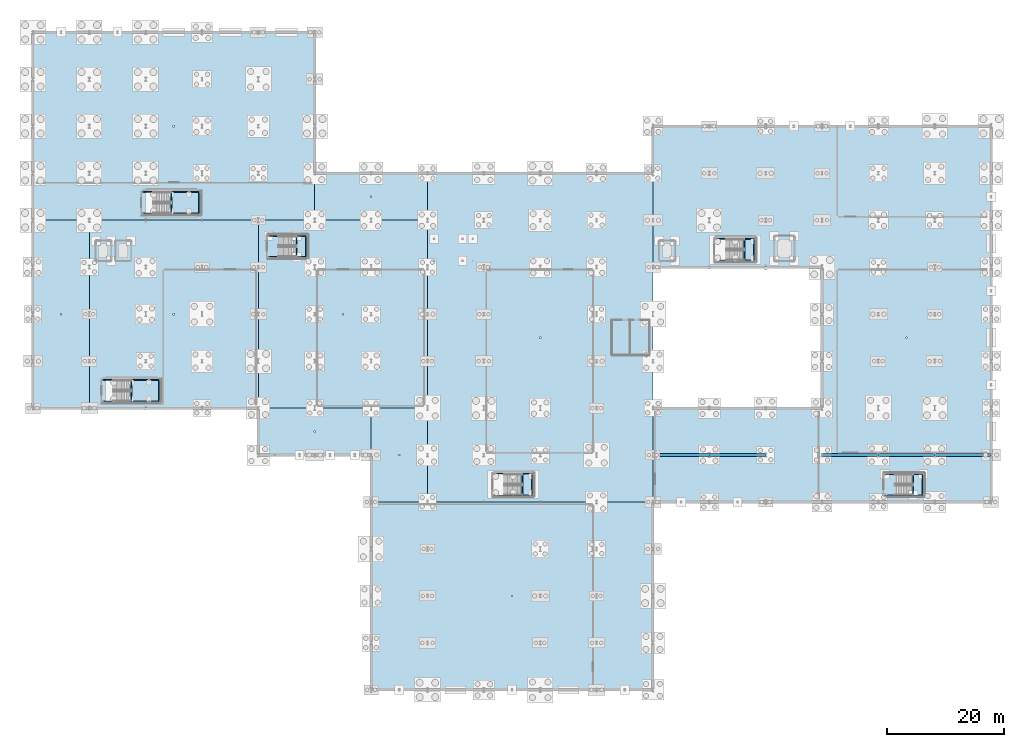
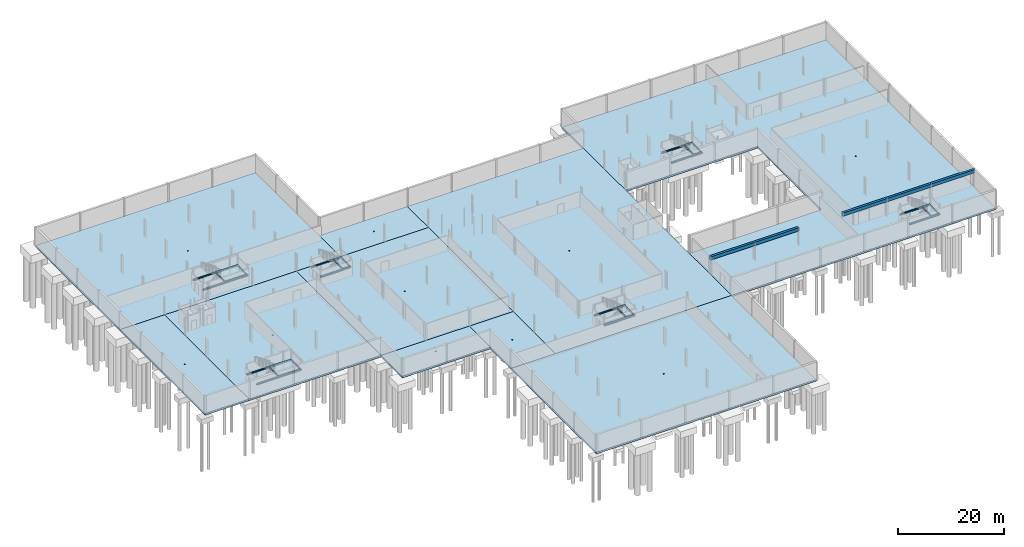
# One storey, part 33 of 47: 29 beams, 16 slabs, 6 elements without a shape of their own.
"""IFC4 building model written with IfcOpenShell, lengths in metres."""

import ifcopenshell
import ifcopenshell.guid

model = None  # the IFC model being written
_history = None  # IfcOwnerHistory: only IFC2X3 demands one
_inside = {}  # id of a spatial element -> (the spatial element, [elements in it])
_under = {}  # id of a project, library or spatial element -> (it, [spatial elements below it])
_declared = {}  # id of a project -> (the project, [libraries it declares])
_typed = {}  # id of a type object -> (the type object, [elements of that type])
_made_of = {}  # id of a material, layer set ... -> (it, [elements and type objects made of it])


def new_model(schema):
    """Start an empty IFC model of exactly this schema.

    Asked for "IFC4X3", IfcOpenShell would pick the latest addendum, in which some entities
    have other attributes; the version numbers below select the first issue.
    IFC2X3 requires an IfcOwnerHistory on every rooted entity: one is made here for all.
    """
    global model, _history
    if schema == "IFC4X3":
        model = ifcopenshell.file(schema_version=(4, 3, 0, 0))
    else:
        model = ifcopenshell.file(schema=schema)
    _inside.clear()
    _under.clear()
    _declared.clear()
    _typed.clear()
    _made_of.clear()
    _history = None
    if model.schema == "IFC2X3":
        org = make("IfcOrganization", Name="unknown")
        user = make(
            "IfcPersonAndOrganization",
            ThePerson=make("IfcPerson", FamilyName="unknown"),
            TheOrganization=org,
        )
        app = make(
            "IfcApplication",
            ApplicationDeveloper=org,
            Version="unknown",
            ApplicationFullName="unknown",
            ApplicationIdentifier="unknown",
        )
        _history = make(
            "IfcOwnerHistory",
            OwningUser=user,
            OwningApplication=app,
            ChangeAction="ADDED",
            CreationDate=0,
        )
    return model


def make(cls, **values):
    """One entity of the class cls with the attributes given. An attribute that is None is left unset."""
    return model.create_entity(
        cls, **{name: value for name, value in values.items() if value is not None}
    )


def rooted(cls, **values):
    """An entity with a GlobalId (a new one), such as an element, a storey or a relation."""
    return make(cls, GlobalId=ifcopenshell.guid.new(), OwnerHistory=_history, **values)


def si_unit(unit_type, name, prefix=None):
    """IfcSIUnit, for example si_unit("LENGTHUNIT", "METRE", prefix="MILLI")."""
    return make("IfcSIUnit", UnitType=unit_type, Prefix=prefix, Name=name)


def assignment(units):
    """IfcUnitAssignment: the units of a project."""
    return None if units is None else make("IfcUnitAssignment", Units=units)


def point(xyz):
    """IfcCartesianPoint."""
    return None if xyz is None else make("IfcCartesianPoint", Coordinates=xyz)


def direction(xyz):
    """IfcDirection."""
    return None if xyz is None else make("IfcDirection", DirectionRatios=xyz)


def frame(location, z_axis=None, x_axis=None):
    """IfcAxis2Placement3D, a coordinate frame: its origin and axes. An axis left out is left unset."""
    return make(
        "IfcAxis2Placement3D",
        Location=point(location),
        Axis=direction(z_axis),
        RefDirection=direction(x_axis),
    )


def frame_2d(location, x_axis=None):
    """IfcAxis2Placement2D, a coordinate frame in the plane: its origin and x axis."""
    return make(
        "IfcAxis2Placement2D", Location=point(location), RefDirection=direction(x_axis)
    )


def origin():
    """The frame at (0, 0, 0) with its axes left unset."""
    return frame((0.0, 0.0, 0.0))


def origin_2d():
    """The frame at (0, 0) in the plane with its x axis left unset."""
    return frame_2d((0.0, 0.0))


def place(relative_to, where):
    """IfcLocalPlacement: puts the frame where relative to a parent placement (None: the world)."""
    return make(
        "IfcLocalPlacement", PlacementRelTo=relative_to, RelativePlacement=where
    )


def context(
    kind, dimensions, precision=None, world=None, true_north=None, identifier=None
):
    """IfcGeometricRepresentationContext, for example the 3D "Model" context."""
    return make(
        "IfcGeometricRepresentationContext",
        ContextIdentifier=identifier,
        ContextType=kind,
        CoordinateSpaceDimension=dimensions,
        Precision=precision,
        WorldCoordinateSystem=world,
        TrueNorth=true_north,
    )


def subcontext(parent, identifier, kind, view, scale=None):
    """IfcGeometricRepresentationSubContext, for example "Body" below "Model"."""
    return make(
        "IfcGeometricRepresentationSubContext",
        ContextIdentifier=identifier,
        ContextType=kind,
        ParentContext=parent,
        TargetScale=scale,
        TargetView=view,
    )


def project(units=None, contexts=None):
    """IfcProject with its units and contexts."""
    return rooted(
        "IfcProject",
        Name="project",
        RepresentationContexts=contexts,
        UnitsInContext=assignment(units),
    )


def spatial(cls, under=None, at=None, **own):
    """A site, building, storey or space (cls), placed at a placement, below another one or the project."""
    s = rooted(cls, ObjectPlacement=at, **own)
    if under is not None:
        _under.setdefault(under.id(), (under, []))[1].append(s)
    return s


def polyline(points):
    """IfcPolyline through the points."""
    return make("IfcPolyline", Points=[point(p) for p in points])


def profile(cls, at=None, kind="AREA", **sizes):
    """A parametric profile (cls). Its sizes go by their IFC names, for example OverallWidth=200.0."""
    return make(cls, ProfileType=kind, Position=at, **sizes)


def rectangle(**sizes):
    """IfcRectangleProfileDef."""
    return profile("IfcRectangleProfileDef", **sizes)


def i_section(**sizes):
    """IfcIShapeProfileDef."""
    return profile("IfcIShapeProfileDef", **sizes)


def outline(outer, holes=None, kind="AREA"):
    """IfcArbitraryClosedProfileDef: a profile drawn as a closed curve; with holes, ...WithVoids."""
    if holes is None:
        return make("IfcArbitraryClosedProfileDef", ProfileType=kind, OuterCurve=outer)
    return make(
        "IfcArbitraryProfileDefWithVoids",
        ProfileType=kind,
        OuterCurve=outer,
        InnerCurves=holes,
    )


def extrude(swept, where, along, depth):
    """IfcExtrudedAreaSolid: the profile swept, set in the frame where, extruded along a direction by depth."""
    return make(
        "IfcExtrudedAreaSolid",
        SweptArea=swept,
        Position=where,
        ExtrudedDirection=direction(along),
        Depth=depth,
    )


def shape(context_of_items, identifier, shape_type, items):
    """IfcShapeRepresentation: the items that make up one representation, for example the "Body"."""
    return make(
        "IfcShapeRepresentation",
        ContextOfItems=context_of_items,
        RepresentationIdentifier=identifier,
        RepresentationType=shape_type,
        Items=items,
    )


def material(Name=None, Category=None):
    """IfcMaterial."""
    return make("IfcMaterial", Name=Name, Category=Category)


def layer(
    of_material, thickness, ventilated=None, Name=None, Category=None, Priority=None
):
    """IfcMaterialLayer: one layer of a wall or slab, of a material (None: an air gap)."""
    return make(
        "IfcMaterialLayer",
        Material=of_material,
        LayerThickness=thickness,
        IsVentilated=ventilated,
        Name=Name,
        Category=Category,
        Priority=Priority,
    )


def layer_set(layers, Name=None):
    """IfcMaterialLayerSet."""
    return make("IfcMaterialLayerSet", MaterialLayers=layers, LayerSetName=Name)


def material_profile(
    of_material, cross_section, Name=None, Category=None, Priority=None
):
    """IfcMaterialProfile: a cross section and its material."""
    return make(
        "IfcMaterialProfile",
        Name=Name,
        Material=of_material,
        Profile=cross_section,
        Priority=Priority,
        Category=Category,
    )


def profile_set(profiles, Name=None, composite=None):
    """IfcMaterialProfileSet."""
    return make(
        "IfcMaterialProfileSet",
        Name=Name,
        MaterialProfiles=profiles,
        CompositeProfile=composite,
    )


def made_of(thing, what):
    """Note that an element or type object is made of a material, layer set ...; save() writes the relation."""
    if what is not None:
        _made_of.setdefault(what.id(), (what, []))[1].append(thing)
    return thing


def type_object(cls, material=None, **own):
    """A type object (cls), such as IfcWallType, which elements share."""
    return made_of(rooted(cls, **own), material)


def element(
    cls,
    number,
    at=None,
    inside=None,
    cuts=None,
    type_object=None,
    material=None,
    context=None,
    identifier="Body",
    shape_type=None,
    held_by="IfcProductDefinitionShape",
    body=None,
    shapes=None,
    **own,
):
    """One element of the class cls, such as IfcWall. Its Tag is "e" and its number.

    at: its placement. inside: the storey or other place that contains it. cuts: it is an
    opening in that element (IfcRelVoidsElement). A single representation is given by context,
    identifier, shape_type and body (its items); several are given by shapes. held_by: the class
    of the entity that holds the representations. save() writes the other relations.
    """
    e = rooted(cls, Tag="e%d" % number, ObjectPlacement=at, **own)
    if body is not None:
        shapes = [shape(context, identifier, shape_type, body)]
    if shapes is not None:
        e.Representation = make(held_by, Representations=shapes)
    if inside is not None:
        _inside.setdefault(inside.id(), (inside, []))[1].append(e)
    if cuts is not None:
        rooted(
            "IfcRelVoidsElement", RelatingBuildingElement=cuts, RelatedOpeningElement=e
        )
    if type_object is not None:
        _typed.setdefault(type_object.id(), (type_object, []))[1].append(e)
    return made_of(e, material)


def aggregate(whole, parts):
    """IfcRelAggregates: a whole, such as a stair, and the parts it consists of."""
    return rooted("IfcRelAggregates", RelatingObject=whole, RelatedObjects=parts)


def save(model, path):
    """Write the relations noted so far, then the file.

    IfcRelAggregates (storeys below a building ...), IfcRelContainedInSpatialStructure (elements
    in a storey), IfcRelDefinesByType, IfcRelAssociatesMaterial and IfcRelDeclares: one each for
    every whole, place, type object, material and project.
    """
    for whole, parts in _under.values():
        aggregate(whole, parts)
    for where, things in _inside.values():
        rooted(
            "IfcRelContainedInSpatialStructure",
            RelatedElements=things,
            RelatingStructure=where,
        )
    for kind, things in _typed.values():
        rooted("IfcRelDefinesByType", RelatedObjects=things, RelatingType=kind)
    for what, things in _made_of.values():
        rooted("IfcRelAssociatesMaterial", RelatedObjects=things, RelatingMaterial=what)
    for by, libraries in _declared.values():
        rooted("IfcRelDeclares", RelatingContext=by, RelatedDefinitions=libraries)
    model.write(path)


model = new_model("IFC4")

# Units and contexts
model_context = context("Model", 3, precision=1e-05, world=origin(), true_north=direction((0.0, 1.0)))
body_context = subcontext(model_context, "Body", "Model", "MODEL_VIEW")
ifc_project = project(units=[si_unit("LENGTHUNIT", "METRE"), si_unit("AREAUNIT", "SQUARE_METRE"), si_unit("VOLUMEUNIT", "CUBIC_METRE"), si_unit("PLANEANGLEUNIT", "RADIAN"), si_unit("MASSUNIT", "GRAM", prefix="KILO")], contexts=[model_context])

# Site, building, storey
site_placement = place(None, origin())
site = spatial("IfcSite", under=ifc_project, at=site_placement, CompositionType="ELEMENT")
building_placement = place(site_placement, origin())
building = spatial("IfcBuilding", under=site, at=building_placement, Name="Alderhovde Museum", CompositionType="ELEMENT")
storey_placement = place(building_placement, frame((0.0, 0.0, -4.5)))
storey = spatial("IfcBuildingStorey", under=building, at=storey_placement, Name="B1", CompositionType="ELEMENT", Elevation=-4.5)

# Beams
ifc_material_1 = material(Name="Steel S355J2", Category="steel")
ifc_material_profile_1 = material_profile(ifc_material_1, i_section(OverallWidth=0.1201171875, OverallDepth=0.239990234375, WebThickness=0.006103515625, FlangeThickness=0.009765625, FilletRadius=0.014892578125, at=origin_2d()), Name="IPE 240")
ifc_profile_set_1 = profile_set([ifc_material_profile_1], Name="Steel S355J2")
beam_type_1 = type_object("IfcBeamType", Name="BM-IPE240", PredefinedType="BEAM", material=ifc_profile_set_1)
for number, where, z_axis, x_axis, name in (
    (1, (21.52001953125, 49.1201171875, 1.929931640625), (1.0, 0.0, 0.0), (0.0, 1.0, 0.0), "B1 Stair ST1 Landing 1 Beam S"),
    (2, (21.52001953125, 52.840087890625, 1.929931640625), (1.0, 0.0, 0.0), (0.0, 1.0, 0.0), "B1 Stair ST1 Landing 1 Beam N"),
):
    element("IfcBeam", number, at=place(storey_placement, frame(where, z_axis=z_axis, x_axis=x_axis)), inside=storey, type_object=beam_type_1, Name=name, PredefinedType="BEAM", context=body_context, shape_type="SweptSolid", body=[
        extrude(i_section(OverallWidth=0.1201171875, OverallDepth=0.239990234375, WebThickness=0.006103515625, FlangeThickness=0.009765625, FilletRadius=0.014892578125, at=origin_2d()), origin(), (0.0, 0.0, 1.0), 9.679931640625),
    ])
for number, where, z_axis, x_axis, name in (
    (3, (26.360107421875, 49.1201171875, 1.929931640625), (0.0, 1.0, 0.0), (-1.0, 0.0, 0.0), "B1 Stair ST1 Landing 1 Beam W"),
    (4, (31.1201171875, 49.1201171875, 1.929931640625), (0.0, 1.0, 0.0), (-1.0, 0.0, 0.0), "B1 Stair ST1 Landing 1 Beam E"),
):
    element("IfcBeam", number, at=place(storey_placement, frame(where, z_axis=z_axis, x_axis=x_axis)), inside=storey, type_object=beam_type_1, Name=name, PredefinedType="BEAM", context=body_context, shape_type="SweptSolid", body=[
        extrude(i_section(OverallWidth=0.1201171875, OverallDepth=0.239990234375, WebThickness=0.006103515625, FlangeThickness=0.009765625, FilletRadius=0.014892578125, at=origin_2d()), origin(), (0.0, 0.0, 1.0), 3.719970703125),
    ])
for number, where, z_axis, x_axis, name in (
    (5, (28.320068359375, 81.1201171875, 1.929931640625), (1.0, 0.0, 0.0), (0.0, 1.0, 0.0), "B1 Stair ST2 Landing 1 Beam S"),
    (6, (28.320068359375, 84.840087890625, 1.929931640625), (1.0, 0.0, 0.0), (0.0, 1.0, 0.0), "B1 Stair ST2 Landing 1 Beam N"),
):
    element("IfcBeam", number, at=place(storey_placement, frame(where, z_axis=z_axis, x_axis=x_axis)), inside=storey, type_object=beam_type_1, Name=name, PredefinedType="BEAM", context=body_context, shape_type="SweptSolid", body=[
        extrude(i_section(OverallWidth=0.1201171875, OverallDepth=0.239990234375, WebThickness=0.006103515625, FlangeThickness=0.009765625, FilletRadius=0.014892578125, at=origin_2d()), origin(), (0.0, 0.0, 1.0), 9.679931640625),
    ])
for number, where, z_axis, x_axis, name in (
    (7, (33.159912109375, 81.1201171875, 1.929931640625), (0.0, 1.0, 0.0), (-1.0, 0.0, 0.0), "B1 Stair ST2 Landing 1 Beam W"),
    (8, (37.919921875, 81.1201171875, 1.929931640625), (0.0, 1.0, 0.0), (-1.0, 0.0, 0.0), "B1 Stair ST2 Landing 1 Beam E"),
):
    element("IfcBeam", number, at=place(storey_placement, frame(where, z_axis=z_axis, x_axis=x_axis)), inside=storey, type_object=beam_type_1, Name=name, PredefinedType="BEAM", context=body_context, shape_type="SweptSolid", body=[
        extrude(i_section(OverallWidth=0.1201171875, OverallDepth=0.239990234375, WebThickness=0.006103515625, FlangeThickness=0.009765625, FilletRadius=0.014892578125, at=origin_2d()), origin(), (0.0, 0.0, 1.0), 3.719970703125),
    ])
for number, where, z_axis, x_axis, name in (
    (9, (88.1201171875, 33.1201171875, 1.929931640625), (1.0, 0.0, 0.0), (0.0, 1.0, 0.0), "B1 Stair ST3 Landing 1 Beam S"),
    (10, (88.1201171875, 36.840087890625, 1.929931640625), (1.0, 0.0, 0.0), (0.0, 1.0, 0.0), "B1 Stair ST3 Landing 1 Beam N"),
):
    element("IfcBeam", number, at=place(storey_placement, frame(where, z_axis=z_axis, x_axis=x_axis)), inside=storey, type_object=beam_type_1, Name=name, PredefinedType="BEAM", context=body_context, shape_type="SweptSolid", body=[
        extrude(i_section(OverallWidth=0.1201171875, OverallDepth=0.239990234375, WebThickness=0.006103515625, FlangeThickness=0.009765625, FilletRadius=0.014892578125, at=origin_2d()), origin(), (0.0, 0.0, 1.0), 6.599853515625),
    ])
for number, where, z_axis, x_axis, name in (
    (11, (92.9599609375, 33.1201171875, 1.929931640625), (0.0, 1.0, 0.0), (-1.0, 0.0, 0.0), "B1 Stair ST3 Landing 1 Beam W"),
    (12, (94.639892578125, 33.1201171875, 1.929931640625), (0.0, 1.0, 0.0), (-1.0, 0.0, 0.0), "B1 Stair ST3 Landing 1 Beam E"),
):
    element("IfcBeam", number, at=place(storey_placement, frame(where, z_axis=z_axis, x_axis=x_axis)), inside=storey, type_object=beam_type_1, Name=name, PredefinedType="BEAM", context=body_context, shape_type="SweptSolid", body=[
        extrude(i_section(OverallWidth=0.1201171875, OverallDepth=0.239990234375, WebThickness=0.006103515625, FlangeThickness=0.009765625, FilletRadius=0.014892578125, at=origin_2d()), origin(), (0.0, 0.0, 1.0), 3.719970703125),
    ])
for number, where, z_axis, x_axis, name in (
    (13, (125.919921875, 73.1201171875, 1.929931640625), (1.0, 0.0, 0.0), (0.0, 1.0, 0.0), "B1 Stair ST4 Landing 1 Beam S"),
    (14, (125.919921875, 76.840087890625, 1.929931640625), (1.0, 0.0, 0.0), (0.0, 1.0, 0.0), "B1 Stair ST4 Landing 1 Beam N"),
):
    element("IfcBeam", number, at=place(storey_placement, frame(where, z_axis=z_axis, x_axis=x_axis)), inside=storey, type_object=beam_type_1, Name=name, PredefinedType="BEAM", context=body_context, shape_type="SweptSolid", body=[
        extrude(i_section(OverallWidth=0.1201171875, OverallDepth=0.239990234375, WebThickness=0.006103515625, FlangeThickness=0.009765625, FilletRadius=0.014892578125, at=origin_2d()), origin(), (0.0, 0.0, 1.0), 6.60009765625),
    ])
for number, where, z_axis, x_axis, name in (
    (15, (130.760009765625, 73.1201171875, 1.929931640625), (0.0, 1.0, 0.0), (-1.0, 0.0, 0.0), "B1 Stair ST4 Landing 1 Beam W"),
    (16, (132.43994140625, 73.1201171875, 1.929931640625), (0.0, 1.0, 0.0), (-1.0, 0.0, 0.0), "B1 Stair ST4 Landing 1 Beam E"),
):
    element("IfcBeam", number, at=place(storey_placement, frame(where, z_axis=z_axis, x_axis=x_axis)), inside=storey, type_object=beam_type_1, Name=name, PredefinedType="BEAM", context=body_context, shape_type="SweptSolid", body=[
        extrude(i_section(OverallWidth=0.1201171875, OverallDepth=0.239990234375, WebThickness=0.006103515625, FlangeThickness=0.009765625, FilletRadius=0.014892578125, at=origin_2d()), origin(), (0.0, 0.0, 1.0), 3.719970703125),
    ])
for number, where, z_axis, x_axis, name in (
    (17, (49.719970703125, 73.719970703125, 1.929931640625), (1.0, 0.0, 0.0), (0.0, 1.0, 0.0), "B1 Stair ST6 Landing 1 Beam S"),
    (18, (49.719970703125, 77.360107421875, 1.929931640625), (1.0, 0.0, 0.0), (0.0, 1.0, 0.0), "B1 Stair ST6 Landing 1 Beam N"),
):
    element("IfcBeam", number, at=place(storey_placement, frame(where, z_axis=z_axis, x_axis=x_axis)), inside=storey, type_object=beam_type_1, Name=name, PredefinedType="BEAM", context=body_context, shape_type="SweptSolid", body=[
        extrude(i_section(OverallWidth=0.1201171875, OverallDepth=0.239990234375, WebThickness=0.006103515625, FlangeThickness=0.009765625, FilletRadius=0.014892578125, at=origin_2d()), origin(), (0.0, 0.0, 1.0), 6.52001953125),
    ])
for number, where, z_axis, x_axis, name in (
    (19, (54.52001953125, 73.719970703125, 1.929931640625), (0.0, 1.0, 0.0), (-1.0, 0.0, 0.0), "B1 Stair ST6 Landing 1 Beam W"),
    (20, (56.159912109375, 73.719970703125, 1.929931640625), (0.0, 1.0, 0.0), (-1.0, 0.0, 0.0), "B1 Stair ST6 Landing 1 Beam E"),
):
    element("IfcBeam", number, at=place(storey_placement, frame(where, z_axis=z_axis, x_axis=x_axis)), inside=storey, type_object=beam_type_1, Name=name, PredefinedType="BEAM", context=body_context, shape_type="SweptSolid", body=[
        extrude(i_section(OverallWidth=0.1201171875, OverallDepth=0.239990234375, WebThickness=0.006103515625, FlangeThickness=0.009765625, FilletRadius=0.014892578125, at=origin_2d()), origin(), (0.0, 0.0, 1.0), 3.64013671875),
    ])
for number, where, z_axis, x_axis, name in (
    (21, (154.719970703125, 33.1201171875, 1.929931640625), (1.0, 0.0, 0.0), (0.0, 1.0, 0.0), "B1 Stair ST7 Landing 1 Beam S"),
    (22, (154.719970703125, 36.760009765625, 1.929931640625), (1.0, 0.0, 0.0), (0.0, 1.0, 0.0), "B1 Stair ST7 Landing 1 Beam N"),
):
    element("IfcBeam", number, at=place(storey_placement, frame(where, z_axis=z_axis, x_axis=x_axis)), inside=storey, type_object=beam_type_1, Name=name, PredefinedType="BEAM", context=body_context, shape_type="SweptSolid", body=[
        extrude(i_section(OverallWidth=0.1201171875, OverallDepth=0.239990234375, WebThickness=0.006103515625, FlangeThickness=0.009765625, FilletRadius=0.014892578125, at=origin_2d()), origin(), (0.0, 0.0, 1.0), 6.52001953125),
    ])
for number, where, z_axis, x_axis, name in (
    (23, (159.52001953125, 33.1201171875, 1.929931640625), (0.0, 1.0, 0.0), (-1.0, 0.0, 0.0), "B1 Stair ST7 Landing 1 Beam W"),
    (24, (161.159912109375, 33.1201171875, 1.929931640625), (0.0, 1.0, 0.0), (-1.0, 0.0, 0.0), "B1 Stair ST7 Landing 1 Beam E"),
):
    element("IfcBeam", number, at=place(storey_placement, frame(where, z_axis=z_axis, x_axis=x_axis)), inside=storey, type_object=beam_type_1, Name=name, PredefinedType="BEAM", context=body_context, shape_type="SweptSolid", body=[
        extrude(i_section(OverallWidth=0.1201171875, OverallDepth=0.239990234375, WebThickness=0.006103515625, FlangeThickness=0.009765625, FilletRadius=0.014892578125, at=origin_2d()), origin(), (0.0, 0.0, 1.0), 3.639892578125),
    ])
ifc_material_2 = material(Name="Concrete C40/50", Category="concrete")
ifc_material_profile_2 = material_profile(ifc_material_2, rectangle(XDim=0.5, YDim=0.75, at=origin_2d()), Name="RC 500x750")
ifc_profile_set_2 = profile_set([ifc_material_profile_2], Name="Concrete C40/50")
beam_type_2 = type_object("IfcBeamType", Name="SPD-RC500x750", PredefinedType="SPANDREL", material=ifc_profile_set_2)
beam_1_placement = place(storey_placement, frame((115.199951171875, 40.0, 3.800048828125), z_axis=(1.0, 0.0, 0.0), x_axis=(0.0, 1.0, 0.0)))
element("IfcBeam", 25, at=beam_1_placement, inside=storey, type_object=beam_type_2, Name="B1 Concrete Spandrel Girder 1", PredefinedType="SPANDREL", context=body_context, shape_type="SweptSolid", body=[
    extrude(rectangle(XDim=0.5, YDim=0.75, at=origin_2d()), origin(), (0.0, 0.0, 1.0), 9.60009765625),
])
beam_2_placement = place(storey_placement, frame((124.800048828125, 40.0, 3.800048828125), z_axis=(1.0, 0.0, 0.0), x_axis=(0.0, 1.0, 0.0)))
element("IfcBeam", 26, at=beam_2_placement, inside=storey, type_object=beam_type_2, Name="B1 Concrete Spandrel Girder 2", PredefinedType="SPANDREL", context=body_context, shape_type="SweptSolid", body=[
    extrude(rectangle(XDim=0.5, YDim=0.75, at=origin_2d()), origin(), (0.0, 0.0, 1.0), 9.599853515625),
])
beam_3_placement = place(storey_placement, frame((144.0, 40.0, 3.800048828125), z_axis=(1.0, 0.0, 0.0), x_axis=(0.0, 1.0, 0.0)))
element("IfcBeam", 27, at=beam_3_placement, inside=storey, type_object=beam_type_2, Name="B1 Concrete Spandrel Girder 3", PredefinedType="SPANDREL", context=body_context, shape_type="SweptSolid", body=[
    extrude(rectangle(XDim=0.5, YDim=0.75, at=origin_2d()), origin(), (0.0, 0.0, 1.0), 9.60009765625),
])
beam_4_placement = place(storey_placement, frame((153.60009765625, 40.0, 3.800048828125), z_axis=(1.0, 0.0, 0.0), x_axis=(0.0, 1.0, 0.0)))
element("IfcBeam", 28, at=beam_4_placement, inside=storey, type_object=beam_type_2, Name="B1 Concrete Spandrel Girder 4", PredefinedType="SPANDREL", context=body_context, shape_type="SweptSolid", body=[
    extrude(rectangle(XDim=0.5, YDim=0.75, at=origin_2d()), origin(), (0.0, 0.0, 1.0), 9.599853515625),
])
beam_5_placement = place(storey_placement, frame((163.199951171875, 40.0, 3.800048828125), z_axis=(1.0, 0.0, 0.0), x_axis=(0.0, 1.0, 0.0)))
element("IfcBeam", 29, at=beam_5_placement, inside=storey, type_object=beam_type_2, Name="B1 Concrete Spandrel Girder 5", PredefinedType="SPANDREL", context=body_context, shape_type="SweptSolid", body=[
    extrude(rectangle(XDim=0.5, YDim=0.75, at=origin_2d()), origin(), (0.0, 0.0, 1.0), 9.60009765625),
])

# Slabs
ifc_material_3 = material(Name="Concrete C40/50", Category="concrete")
ifc_layer_1 = layer(ifc_material_3, 0.39990234375)
ifc_layer_set_1 = layer_set([ifc_layer_1], Name="Concrete C40/50")
slab_type_1 = type_object("IfcSlabType", Name="SLB-BASE-400", PredefinedType="BASESLAB", material=ifc_layer_set_1)
slab_1_placement = place(storey_placement, frame((0.0, 0.0, -0.39990234375)))
element("IfcSlab", 30, at=slab_1_placement, inside=storey, type_object=slab_type_1, Name="B1 VOL1 Structural Slab", PredefinedType="BASESLAB", context=body_context, shape_type="SweptSolid", body=[
    extrude(outline(polyline([(9.60009765625, 48.0), (19.199951171875, 48.0), (19.199951171875, 80.0), (9.60009765625, 80.0), (9.60009765625, 48.0)]), holes=[polyline([(14.2900390625, 63.889892578125), (14.510009765625, 63.889892578125), (14.510009765625, 64.110107421875), (14.2900390625, 64.110107421875), (14.2900390625, 63.889892578125)])]), origin(), (0.0, 0.0, 1.0), 0.39990234375),
])
slab_2_placement = place(storey_placement, frame((0.0, 0.0, -0.39990234375)))
element("IfcSlab", 31, at=slab_2_placement, inside=storey, type_object=slab_type_1, Name="B1 VOL1 Structural Slab", PredefinedType="BASESLAB", context=body_context, shape_type="SweptSolid", body=[
    extrude(outline(polyline([(19.199951171875, 48.0), (48.0, 48.0), (48.0, 80.0), (19.199951171875, 80.0), (19.199951171875, 48.0)]), holes=[polyline([(33.489990234375, 63.889892578125), (33.7099609375, 63.889892578125), (33.7099609375, 64.110107421875), (33.489990234375, 64.110107421875), (33.489990234375, 63.889892578125)])]), origin(), (0.0, 0.0, 1.0), 0.39990234375),
])
slab_3_placement = place(storey_placement, frame((0.0, 0.0, -0.39990234375)))
element("IfcSlab", 32, at=slab_3_placement, inside=storey, type_object=slab_type_1, Name="B1 VOL1 Structural Slab", PredefinedType="BASESLAB", context=body_context, shape_type="SweptSolid", body=[
    extrude(outline(polyline([(48.0, 48.0), (76.800048828125, 48.0), (76.800048828125, 80.0), (48.0, 80.0), (48.0, 48.0)]), holes=[polyline([(62.2900390625, 63.889892578125), (62.510009765625, 63.889892578125), (62.510009765625, 64.110107421875), (62.2900390625, 64.110107421875), (62.2900390625, 63.889892578125)])]), origin(), (0.0, 0.0, 1.0), 0.39990234375),
])
slab_4_placement = place(storey_placement, frame((0.0, 0.0, -0.39990234375)))
element("IfcSlab", 33, at=slab_4_placement, inside=storey, type_object=slab_type_1, Name="B1 VOL6 Structural Slab", PredefinedType="BASESLAB", context=body_context, shape_type="SweptSolid", body=[
    extrude(outline(polyline([(48.0, 40.0), (67.199951171875, 40.0), (67.199951171875, 48.0), (48.0, 48.0), (48.0, 40.0)]), holes=[polyline([(57.489990234375, 43.889892578125), (57.7099609375, 43.889892578125), (57.7099609375, 44.110107421875), (57.489990234375, 44.110107421875), (57.489990234375, 43.889892578125)])]), origin(), (0.0, 0.0, 1.0), 0.39990234375),
])
slab_5_placement = place(storey_placement, frame((0.0, 0.0, -0.39990234375)))
element("IfcSlab", 34, at=slab_5_placement, inside=storey, type_object=slab_type_1, Name="B1 VOL3 Structural Slab", PredefinedType="BASESLAB", context=body_context, shape_type="SweptSolid", body=[
    extrude(outline(polyline([(67.199951171875, 32.0), (76.800048828125, 32.0), (76.800048828125, 48.0), (67.199951171875, 48.0), (67.199951171875, 32.0)]), holes=[polyline([(71.889892578125, 39.889892578125), (72.110107421875, 39.889892578125), (72.110107421875, 40.110107421875), (71.889892578125, 40.110107421875), (71.889892578125, 39.889892578125)])]), origin(), (0.0, 0.0, 1.0), 0.39990234375),
])
slab_6_placement = place(storey_placement, frame((0.0, 0.0, -0.39990234375)))
element("IfcSlab", 35, at=slab_6_placement, inside=storey, type_object=slab_type_1, Name="B1 VOL2 Structural Slab", PredefinedType="BASESLAB", context=body_context, shape_type="SweptSolid", body=[
    extrude(outline(polyline([(57.60009765625, 80.0), (76.800048828125, 80.0), (76.800048828125, 88.0), (57.60009765625, 88.0), (57.60009765625, 80.0)]), holes=[polyline([(67.090087890625, 83.889892578125), (67.31005859375, 83.889892578125), (67.31005859375, 84.110107421875), (67.090087890625, 84.110107421875), (67.090087890625, 83.889892578125)])]), origin(), (0.0, 0.0, 1.0), 0.39990234375),
])
slab_7_placement = place(storey_placement, frame((0.0, 0.0, -0.39990234375)))
element("IfcSlab", 36, at=slab_7_placement, inside=storey, type_object=slab_type_1, Name="B1 VOL2 Structural Slab", PredefinedType="BASESLAB", context=body_context, shape_type="SweptSolid", body=[
    extrude(outline(polyline([(76.800048828125, 32.0), (115.199951171875, 32.0), (115.199951171875, 88.0), (76.800048828125, 88.0), (76.800048828125, 32.0)]), holes=[polyline([(95.889892578125, 59.889892578125), (96.110107421875, 59.889892578125), (96.110107421875, 60.110107421875), (95.889892578125, 60.110107421875), (95.889892578125, 59.889892578125)])]), origin(), (0.0, 0.0, 1.0), 0.39990234375),
])
slab_8_placement = place(storey_placement, frame((0.0, 0.0, -0.39990234375)))
element("IfcSlab", 37, at=slab_8_placement, inside=storey, type_object=slab_type_1, Name="B1 VOL3 Structural Slab", PredefinedType="BASESLAB", context=body_context, shape_type="SweptSolid", body=[
    extrude(outline(polyline([(67.199951171875, 0.0), (115.199951171875, 0.0), (115.199951171875, 32.0), (67.199951171875, 32.0), (67.199951171875, 0.0)]), holes=[polyline([(91.090087890625, 15.889892578125), (91.31005859375, 15.889892578125), (91.31005859375, 16.110107421875), (91.090087890625, 16.110107421875), (91.090087890625, 15.889892578125)])]), origin(), (0.0, 0.0, 1.0), 0.39990234375),
])
slab_9_placement = place(storey_placement, frame((0.0, 0.0, -0.39990234375)))
element("IfcSlab", 38, at=slab_9_placement, inside=storey, type_object=slab_type_1, Name="B1 VOL4 Structural Slab", PredefinedType="BASESLAB", context=body_context, shape_type="SweptSolid", body=[
    extrude(outline(polyline([(9.60009765625, 80.0), (57.60009765625, 80.0), (57.60009765625, 112.0), (9.60009765625, 112.0), (9.60009765625, 80.0)]), holes=[polyline([(33.489990234375, 95.889892578125), (33.7099609375, 95.889892578125), (33.7099609375, 96.110107421875), (33.489990234375, 96.110107421875), (33.489990234375, 95.889892578125)])]), origin(), (0.0, 0.0, 1.0), 0.39990234375),
])
slab_10_placement = place(storey_placement, frame((0.0, 0.0, -0.39990234375)))
element("IfcSlab", 39, at=slab_10_placement, inside=storey, type_object=slab_type_1, Name="B1 VOL5 Structural Slab", PredefinedType="BASESLAB", context=body_context, shape_type="SweptSolid", body=[
    extrude(outline(polyline([(115.199951171875, 32.0), (172.800048828125, 32.0), (172.800048828125, 96.0), (115.199951171875, 96.0), (115.199951171875, 72.0), (144.0, 72.0), (144.0, 48.0), (115.199951171875, 48.0), (115.199951171875, 32.0)]), holes=[polyline([(158.2900390625, 59.889892578125), (158.510009765625, 59.889892578125), (158.510009765625, 60.110107421875), (158.2900390625, 60.110107421875), (158.2900390625, 59.889892578125)])]), origin(), (0.0, 0.0, 1.0), 0.39990234375),
])

# Stair, slab
ifc_material_4 = material(Name="Concrete C35/45", Category="concrete")
stair_type = type_object("IfcStairType", Name="STR-1500-4500", PredefinedType="HALF_TURN_STAIR", material=ifc_material_4)
stair_1_placement = place(storey_placement, origin())
stair_1 = element("IfcStair", 40, at=stair_1_placement, inside=storey, type_object=stair_type, Name="B1 Escape Stair ST1", PredefinedType="HALF_TURN_STAIR")
ifc_material_5 = material(Name="Concrete C35/45", Category="concrete")
ifc_layer_2 = layer(ifc_material_5, 0.199951171875)
ifc_layer_set_2 = layer_set([ifc_layer_2], Name="Concrete C35/45")
slab_type_2 = type_object("IfcSlabType", Name="SLB-LANDING-200", PredefinedType="LANDING", material=ifc_layer_set_2)
slab_11_placement = place(storey_placement, frame((0.0, 0.0, 2.050048828125)))
slab_11 = element("IfcSlab", 41, at=slab_11_placement, type_object=slab_type_2, Name="ST1 landing 1", PredefinedType="LANDING", context=body_context, shape_type="SweptSolid", body=[
    extrude(outline(polyline([(26.360107421875, 49.199951171875), (31.1201171875, 49.199951171875), (31.1201171875, 52.760009765625), (26.360107421875, 52.760009765625), (26.360107421875, 49.199951171875)])), origin(), (0.0, 0.0, 1.0), 0.199951171875),
])
aggregate(stair_1, [slab_11])

stair_2_placement = place(storey_placement, origin())
stair_2 = element("IfcStair", 42, at=stair_2_placement, inside=storey, type_object=stair_type, Name="B1 Escape Stair ST2", PredefinedType="HALF_TURN_STAIR")
slab_12_placement = place(storey_placement, frame((0.0, 0.0, 2.050048828125)))
slab_12 = element("IfcSlab", 43, at=slab_12_placement, type_object=slab_type_2, Name="ST2 landing 1", PredefinedType="LANDING", context=body_context, shape_type="SweptSolid", body=[
    extrude(outline(polyline([(33.159912109375, 81.199951171875), (37.919921875, 81.199951171875), (37.919921875, 84.760009765625), (33.159912109375, 84.760009765625), (33.159912109375, 81.199951171875)])), origin(), (0.0, 0.0, 1.0), 0.199951171875),
])
aggregate(stair_2, [slab_12])

stair_3_placement = place(storey_placement, origin())
stair_3 = element("IfcStair", 44, at=stair_3_placement, inside=storey, type_object=stair_type, Name="B1 Escape Stair ST3", PredefinedType="HALF_TURN_STAIR")
slab_13_placement = place(storey_placement, frame((0.0, 0.0, 2.050048828125)))
slab_13 = element("IfcSlab", 45, at=slab_13_placement, type_object=slab_type_2, Name="ST3 landing 1", PredefinedType="LANDING", context=body_context, shape_type="SweptSolid", body=[
    extrude(outline(polyline([(92.9599609375, 33.199951171875), (94.639892578125, 33.199951171875), (94.639892578125, 36.760009765625), (92.9599609375, 36.760009765625), (92.9599609375, 33.199951171875)])), origin(), (0.0, 0.0, 1.0), 0.199951171875),
])
aggregate(stair_3, [slab_13])

stair_4_placement = place(storey_placement, origin())
stair_4 = element("IfcStair", 46, at=stair_4_placement, inside=storey, type_object=stair_type, Name="B1 Escape Stair ST4", PredefinedType="HALF_TURN_STAIR")
slab_14_placement = place(storey_placement, frame((0.0, 0.0, 2.050048828125)))
slab_14 = element("IfcSlab", 47, at=slab_14_placement, type_object=slab_type_2, Name="ST4 landing 1", PredefinedType="LANDING", context=body_context, shape_type="SweptSolid", body=[
    extrude(outline(polyline([(130.760009765625, 73.199951171875), (132.43994140625, 73.199951171875), (132.43994140625, 76.760009765625), (130.760009765625, 76.760009765625), (130.760009765625, 73.199951171875)])), origin(), (0.0, 0.0, 1.0), 0.199951171875),
])
aggregate(stair_4, [slab_14])

stair_5_placement = place(storey_placement, origin())
stair_5 = element("IfcStair", 48, at=stair_5_placement, inside=storey, type_object=stair_type, Name="B1 Gallery Stair ST6", PredefinedType="HALF_TURN_STAIR")
slab_15_placement = place(storey_placement, frame((0.0, 0.0, 2.050048828125)))
slab_15 = element("IfcSlab", 49, at=slab_15_placement, type_object=slab_type_2, Name="ST6 landing 1", PredefinedType="LANDING", context=body_context, shape_type="SweptSolid", body=[
    extrude(outline(polyline([(54.52001953125, 73.800048828125), (56.159912109375, 73.800048828125), (56.159912109375, 77.280029296875), (54.52001953125, 77.280029296875), (54.52001953125, 73.800048828125)])), origin(), (0.0, 0.0, 1.0), 0.199951171875),
])
aggregate(stair_5, [slab_15])

stair_6_placement = place(storey_placement, origin())
stair_6 = element("IfcStair", 50, at=stair_6_placement, inside=storey, type_object=stair_type, Name="B1 East Wing Escape Stair ST7", PredefinedType="HALF_TURN_STAIR")
slab_16_placement = place(storey_placement, frame((0.0, 0.0, 2.050048828125)))
slab_16 = element("IfcSlab", 51, at=slab_16_placement, type_object=slab_type_2, Name="ST7 landing 1", PredefinedType="LANDING", context=body_context, shape_type="SweptSolid", body=[
    extrude(outline(polyline([(159.52001953125, 33.199951171875), (161.159912109375, 33.199951171875), (161.159912109375, 36.679931640625), (159.52001953125, 36.679931640625), (159.52001953125, 33.199951171875)])), origin(), (0.0, 0.0, 1.0), 0.199951171875),
])
aggregate(stair_6, [slab_16])

save(model, "model.ifc")
